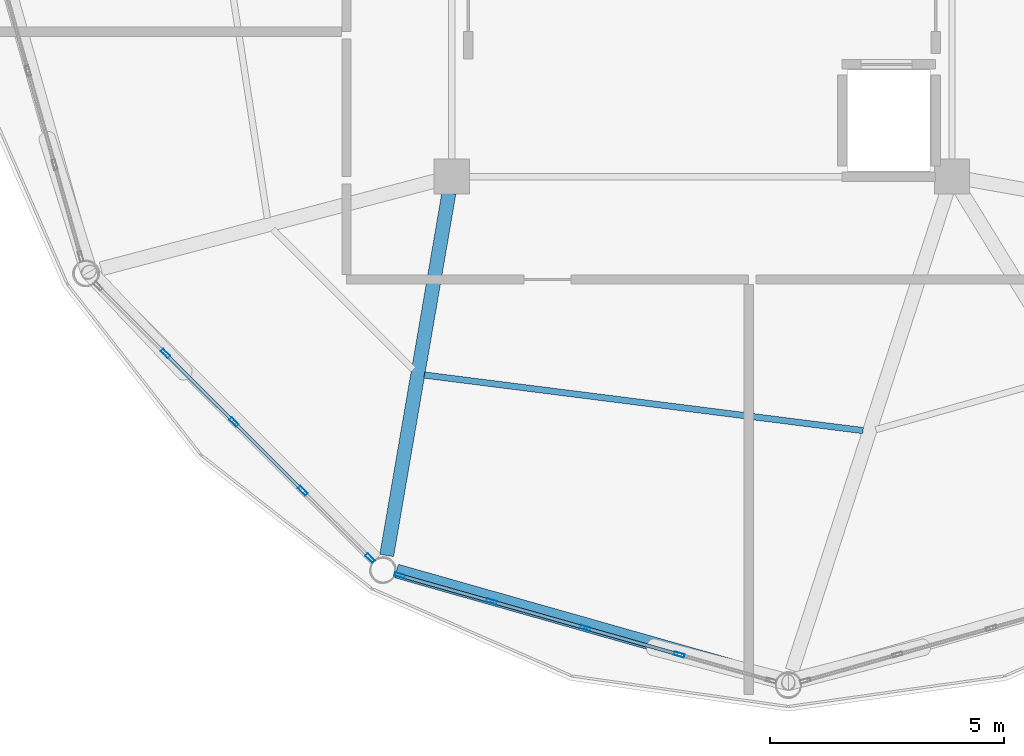
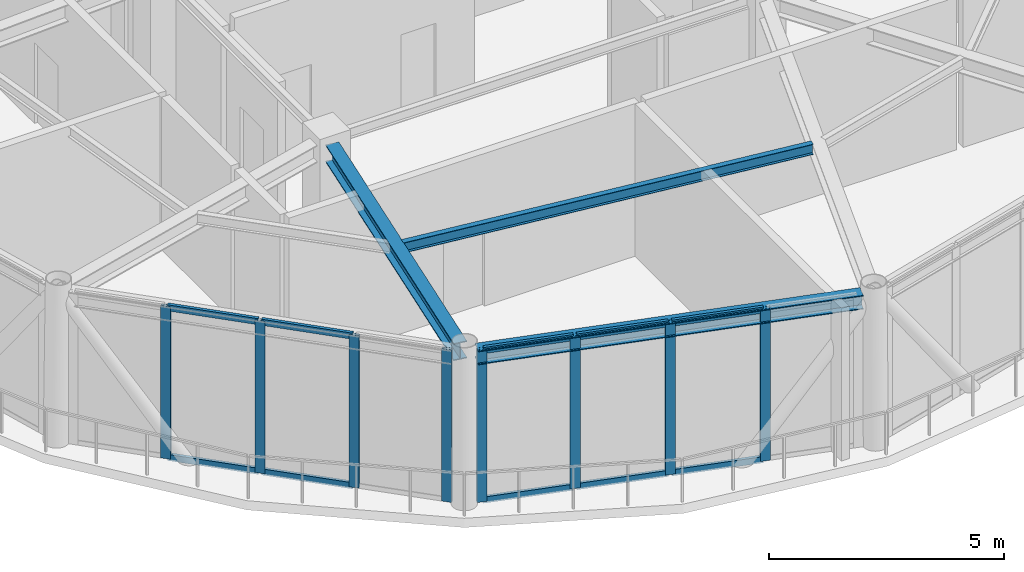
# One storey, part 2 of 20: 18 members, 3 beams, 2 elements without a shape of their own.
"""IFC4 building model written with IfcOpenShell, lengths in metres."""

from ifc_helpers import new_model, si_unit, direction, frame, origin, origin_2d, place, context, subcontext, project, spatial, hollow_rectangle, i_section, extrude, material, layer, layer_set, material_profile, profile_set, type_object, element, aggregate, save


model = new_model("IFC4")

# Units and contexts
model_context = context("Model", 3, precision=1e-05, world=origin(), true_north=direction((0.0, 1.0)))
body_context = subcontext(model_context, "Body", "Model", "MODEL_VIEW")
ifc_project = project(units=[si_unit("LENGTHUNIT", "METRE"), si_unit("AREAUNIT", "SQUARE_METRE"), si_unit("VOLUMEUNIT", "CUBIC_METRE"), si_unit("PLANEANGLEUNIT", "RADIAN"), si_unit("MASSUNIT", "GRAM", prefix="KILO")], contexts=[model_context])

# Site, building, storey
site_placement = place(None, origin())
site = spatial("IfcSite", under=ifc_project, at=site_placement, CompositionType="ELEMENT")
building_placement = place(site_placement, origin())
building = spatial("IfcBuilding", under=site, at=building_placement, Name="Varnakorn Sky Granary", CompositionType="ELEMENT")
storey_placement = place(building_placement, frame((0.0, 0.0, 302.39990234375)))
storey = spatial("IfcBuildingStorey", under=building, at=storey_placement, Name="L77", CompositionType="ELEMENT", Elevation=302.39990234375)

# Beams
ifc_material_1 = material(Name="Steel S355JR", Category="steel")
ifc_material_profile_1 = material_profile(ifc_material_1, i_section(OverallWidth=0.300048828125, OverallDepth=0.449951171875, WebThickness=0.013916015625, FlangeThickness=0.02587890625, at=origin_2d()), Name="HE 450 B")
ifc_profile_set_1 = profile_set([ifc_material_profile_1], Name="Steel S355JR")
beam_type_1 = type_object("IfcBeamType", Name="BM-RAD-Z5", PredefinedType="BEAM", material=ifc_profile_set_1)
beam_1_placement = place(storey_placement, frame((-2.41015625, -6.949951171875, 3.735107421875), z_axis=(-0.169198104521, -0.985582062249, 0.0), x_axis=(0.985582062249, -0.169198104521, 0.0)))
element("IfcBeam", 1, at=beam_1_placement, inside=storey, type_object=beam_type_1, Name="Radial Floor Girder RG09 L77", PredefinedType="BEAM", context=body_context, shape_type="SweptSolid", body=[
    extrude(i_section(OverallWidth=0.300048828125, OverallDepth=0.449951171875, WebThickness=0.013916015625, FlangeThickness=0.02587890625, at=origin_2d()), origin(), (0.0, 0.0, 1.0), 7.866943359375),
])
ifc_material_profile_2 = material_profile(ifc_material_1, i_section(OverallWidth=0.135009765625, OverallDepth=0.27001953125, WebThickness=0.006591796875, FlangeThickness=0.01025390625, at=origin_2d()), Name="IPE 270")
ifc_profile_set_2 = profile_set([ifc_material_profile_2], Name="Steel S355JR")
beam_type_2 = type_object("IfcBeamType", Name="BM-SEC-Z5", PredefinedType="BEAM", material=ifc_profile_set_2)
beam_2_placement = place(storey_placement, frame((-2.936767578125, -10.84423828125, 3.8251953125), z_axis=(0.992078465288, -0.125619738548, 0.0), x_axis=(0.125619738548, 0.992078465288, 0.0)))
element("IfcBeam", 2, at=beam_2_placement, inside=storey, type_object=beam_type_2, Name="Secondary Floor Chord Beam MSB09 L77", PredefinedType="BEAM", context=body_context, shape_type="SweptSolid", body=[
    extrude(i_section(OverallWidth=0.135009765625, OverallDepth=0.27001953125, WebThickness=0.006591796875, FlangeThickness=0.01025390625, at=origin_2d()), origin(), (0.0, 0.0, 1.0), 9.458984375),
])
ifc_material_profile_3 = material_profile(ifc_material_1, i_section(OverallWidth=0.300048828125, OverallDepth=0.360107421875, WebThickness=0.012451171875, FlangeThickness=0.0224609375, at=origin_2d()), Name="HE 360 B")
ifc_profile_set_3 = profile_set([ifc_material_profile_3], Name="Steel S355JR")
beam_type_3 = type_object("IfcBeamType", Name="BM-SPD-Z5", PredefinedType="SPANDREL", material=ifc_profile_set_3)
beam_3_placement = place(storey_placement, frame((-3.531494140625, -15.036376953125, 3.780029296875), z_axis=(0.962040266262, -0.272907541286, 0.0), x_axis=(0.272907541286, 0.962040266262, 0.0)))
element("IfcBeam", 3, at=beam_3_placement, inside=storey, type_object=beam_type_3, Name="Perimeter Spandrel Ring Beam RB09 L77", PredefinedType="SPANDREL", context=body_context, shape_type="SweptSolid", body=[
    extrude(i_section(OverallWidth=0.300048828125, OverallDepth=0.360107421875, WebThickness=0.012451171875, FlangeThickness=0.0224609375, at=origin_2d()), origin(), (0.0, 0.0, 1.0), 8.447509765625),
])

# Curtain wall, members
ifc_material_2 = material(Name="Anodised Bronze Aluminium Alloy 6063-T6", Category="aluminium")
ifc_layer = layer(ifc_material_2, 0.22998046875, Name="Anodised Bronze Aluminium Alloy 6063-T6")
ifc_layer_set = layer_set([ifc_layer], Name="Anodised Bronze Aluminium Alloy 6063-T6")
curtain_wall_type = type_object("IfcCurtainWallType", Name="CW-LNT-1", PredefinedType="USERDEFINED", material=ifc_layer_set)
curtain_wall_1_placement = place(storey_placement, origin())
curtain_wall_1 = element("IfcCurtainWall", 4, at=curtain_wall_1_placement, inside=storey, type_object=curtain_wall_type, Name="Unitised Curtain Wall CW7 CW-L77-B08", ObjectType="CURTAIN WALL", PredefinedType="USERDEFINED")
ifc_material_profile_4 = material_profile(ifc_material_2, hollow_rectangle(XDim=0.074951171875, YDim=0.219970703125, WallThickness=0.00390625, at=origin_2d()), Name="ALU MULL 75x220")
ifc_profile_set_4 = profile_set([ifc_material_profile_4], Name="Anodised Bronze Aluminium Alloy 6063-T6")
member_type_1 = type_object("IfcMemberType", Name="CW-LNT-1-MULL", PredefinedType="MULLION", material=ifc_profile_set_4)
member_1_placement = place(storey_placement, frame((-4.095703125, -14.760009765625, 0.0), z_axis=(0.0, 0.0, 1.0), x_axis=(-0.706962264777, -0.707251268066, 0.0)))
member_1 = element("IfcMember", 5, at=member_1_placement, type_object=member_type_1, Name="CW7 mullion 1", PredefinedType="MULLION", context=body_context, shape_type="SweptSolid", body=[
    extrude(hollow_rectangle(XDim=0.074951171875, YDim=0.219970703125, WallThickness=0.00390625, at=origin_2d()), origin(), (0.0, 0.0, 1.0), 3.960205078125),
])
member_2_placement = place(storey_placement, frame((-5.537353515625, -13.318603515625, 0.0), z_axis=(0.0, 0.0, 1.0), x_axis=(-0.706962264777, -0.707251268066, 0.0)))
member_2 = element("IfcMember", 6, at=member_2_placement, type_object=member_type_1, Name="CW7 mullion 2", PredefinedType="MULLION", context=body_context, shape_type="SweptSolid", body=[
    extrude(hollow_rectangle(XDim=0.074951171875, YDim=0.219970703125, WallThickness=0.00390625, at=origin_2d()), origin(), (0.0, 0.0, 1.0), 3.960205078125),
])
member_3_placement = place(storey_placement, frame((-7.005859375, -11.850830078125, 0.0), z_axis=(0.0, 0.0, 1.0), x_axis=(-0.706962264777, -0.707251268066, 0.0)))
member_3 = element("IfcMember", 7, at=member_3_placement, type_object=member_type_1, Name="CW7 mullion 3", PredefinedType="MULLION", context=body_context, shape_type="SweptSolid", body=[
    extrude(hollow_rectangle(XDim=0.074951171875, YDim=0.219970703125, WallThickness=0.00390625, at=origin_2d()), origin(), (0.0, 0.0, 1.0), 3.960205078125),
])
member_4_placement = place(storey_placement, frame((-8.47412109375, -10.38330078125, 0.0), z_axis=(0.0, 0.0, 1.0), x_axis=(-0.706962264777, -0.707251268066, 0.0)))
member_4 = element("IfcMember", 8, at=member_4_placement, type_object=member_type_1, Name="CW7 mullion 4", PredefinedType="MULLION", context=body_context, shape_type="SweptSolid", body=[
    extrude(hollow_rectangle(XDim=0.074951171875, YDim=0.219970703125, WallThickness=0.00390625, at=origin_2d()), origin(), (0.0, 0.0, 1.0), 3.960205078125),
])

curtain_wall_2_placement = place(storey_placement, origin())
curtain_wall_2 = element("IfcCurtainWall", 9, at=curtain_wall_2_placement, inside=storey, type_object=curtain_wall_type, Name="Unitised Curtain Wall CW7 CW-L77-B09", ObjectType="CURTAIN WALL", PredefinedType="USERDEFINED")
member_5_placement = place(storey_placement, frame((2.516845703125, -16.82470703125, 0.0), z_axis=(0.0, 0.0, 1.0), x_axis=(-0.272649549095, -0.962113415029, 0.0)))
member_5 = element("IfcMember", 10, at=member_5_placement, type_object=member_type_1, Name="CW7 mullion 2", PredefinedType="MULLION", context=body_context, shape_type="SweptSolid", body=[
    extrude(hollow_rectangle(XDim=0.074951171875, YDim=0.219970703125, WallThickness=0.00390625, at=origin_2d()), origin(), (0.0, 0.0, 1.0), 3.960205078125),
])
member_6_placement = place(storey_placement, frame((0.510498046875, -16.256103515625, 0.0), z_axis=(0.0, 0.0, 1.0), x_axis=(-0.272649549095, -0.962113415029, 0.0)))
member_6 = element("IfcMember", 11, at=member_6_placement, type_object=member_type_1, Name="CW7 mullion 3", PredefinedType="MULLION", context=body_context, shape_type="SweptSolid", body=[
    extrude(hollow_rectangle(XDim=0.074951171875, YDim=0.219970703125, WallThickness=0.00390625, at=origin_2d()), origin(), (0.0, 0.0, 1.0), 3.960205078125),
])
member_7_placement = place(storey_placement, frame((-1.495849609375, -15.6875, 0.0), z_axis=(0.0, 0.0, 1.0), x_axis=(-0.272649549095, -0.962113415029, 0.0)))
member_7 = element("IfcMember", 12, at=member_7_placement, type_object=member_type_1, Name="CW7 mullion 4", PredefinedType="MULLION", context=body_context, shape_type="SweptSolid", body=[
    extrude(hollow_rectangle(XDim=0.074951171875, YDim=0.219970703125, WallThickness=0.00390625, at=origin_2d()), origin(), (0.0, 0.0, 1.0), 3.960205078125),
])
member_8_placement = place(storey_placement, frame((-3.46630859375, -15.129150390625, 0.0), z_axis=(0.0, 0.0, 1.0), x_axis=(-0.272649549095, -0.962113415029, 0.0)))
member_8 = element("IfcMember", 13, at=member_8_placement, type_object=member_type_1, Name="CW7 mullion 5", PredefinedType="MULLION", context=body_context, shape_type="SweptSolid", body=[
    extrude(hollow_rectangle(XDim=0.074951171875, YDim=0.219970703125, WallThickness=0.00390625, at=origin_2d()), origin(), (0.0, 0.0, 1.0), 3.960205078125),
])

# Member
ifc_material_profile_5 = material_profile(ifc_material_2, hollow_rectangle(XDim=0.074951171875, YDim=0.159912109375, WallThickness=0.00390625, at=origin_2d()), Name="ALU TRAN 75x160")
ifc_profile_set_5 = profile_set([ifc_material_profile_5], Name="Anodised Bronze Aluminium Alloy 6063-T6")
member_type_2 = type_object("IfcMemberType", Name="CW-LNT-1-TRAN", PredefinedType="USERDEFINED", material=ifc_profile_set_5)
member_9_placement = place(storey_placement, frame((-5.56396484375, -13.292236328125, 0.03759765625), z_axis=(-0.70722876976, 0.706984771564, 0.0), x_axis=(-0.706984771564, -0.70722876976, 0.0)))
member_9 = element("IfcMember", 14, at=member_9_placement, type_object=member_type_2, Name="CW7 transom 2.1", ObjectType="TRANSOM", PredefinedType="USERDEFINED", context=body_context, shape_type="SweptSolid", body=[
    extrude(hollow_rectangle(XDim=0.074951171875, YDim=0.159912109375, WallThickness=0.00390625, at=origin_2d()), origin(), (0.0, 0.0, 1.0), 2.001220703125),
])

member_10_placement = place(storey_placement, frame((-5.56396484375, -13.292236328125, 3.922607421875), z_axis=(-0.70722876976, 0.706984771564, 0.0), x_axis=(-0.706984771564, -0.70722876976, 0.0)))
member_10 = element("IfcMember", 15, at=member_10_placement, type_object=member_type_2, Name="CW7 transom 2.2", ObjectType="TRANSOM", PredefinedType="USERDEFINED", context=body_context, shape_type="SweptSolid", body=[
    extrude(hollow_rectangle(XDim=0.074951171875, YDim=0.159912109375, WallThickness=0.00390625, at=origin_2d()), origin(), (0.0, 0.0, 1.0), 2.001220703125),
])

member_11_placement = place(storey_placement, frame((-7.0322265625, -11.824462890625, 0.03759765625), z_axis=(-0.70722876976, 0.706984771564, 0.0), x_axis=(-0.706984771564, -0.70722876976, 0.0)))
member_11 = element("IfcMember", 16, at=member_11_placement, type_object=member_type_2, Name="CW7 transom 3.1", ObjectType="TRANSOM", PredefinedType="USERDEFINED", context=body_context, shape_type="SweptSolid", body=[
    extrude(hollow_rectangle(XDim=0.074951171875, YDim=0.159912109375, WallThickness=0.00390625, at=origin_2d()), origin(), (0.0, 0.0, 1.0), 2.001220703125),
])

member_12_placement = place(storey_placement, frame((-7.0322265625, -11.824462890625, 3.922607421875), z_axis=(-0.70722876976, 0.706984771564, 0.0), x_axis=(-0.706984771564, -0.70722876976, 0.0)))
member_12 = element("IfcMember", 17, at=member_12_placement, type_object=member_type_2, Name="CW7 transom 3.2", ObjectType="TRANSOM", PredefinedType="USERDEFINED", context=body_context, shape_type="SweptSolid", body=[
    extrude(hollow_rectangle(XDim=0.074951171875, YDim=0.159912109375, WallThickness=0.00390625, at=origin_2d()), origin(), (0.0, 0.0, 1.0), 2.001220703125),
])

aggregate(curtain_wall_1, [member_1, member_2, member_3, member_4, member_9, member_10, member_11, member_12])

member_13_placement = place(storey_placement, frame((2.48095703125, -16.814697265625, 0.03759765625), z_axis=(-0.962090091913, 0.272731837238, 0.0), x_axis=(-0.272731837238, -0.962090091913, 0.0)))
member_13 = element("IfcMember", 18, at=member_13_placement, type_object=member_type_2, Name="CW7 transom 2.1", ObjectType="TRANSOM", PredefinedType="USERDEFINED", context=body_context, shape_type="SweptSolid", body=[
    extrude(hollow_rectangle(XDim=0.074951171875, YDim=0.159912109375, WallThickness=0.00390625, at=origin_2d()), origin(), (0.0, 0.0, 1.0), 2.010498046875),
])

member_14_placement = place(storey_placement, frame((2.48095703125, -16.814697265625, 3.922607421875), z_axis=(-0.962090091913, 0.272731837238, 0.0), x_axis=(-0.272731837238, -0.962090091913, 0.0)))
member_14 = element("IfcMember", 19, at=member_14_placement, type_object=member_type_2, Name="CW7 transom 2.2", ObjectType="TRANSOM", PredefinedType="USERDEFINED", context=body_context, shape_type="SweptSolid", body=[
    extrude(hollow_rectangle(XDim=0.074951171875, YDim=0.159912109375, WallThickness=0.00390625, at=origin_2d()), origin(), (0.0, 0.0, 1.0), 2.010498046875),
])

member_15_placement = place(storey_placement, frame((0.474365234375, -16.24609375, 0.03759765625), z_axis=(-0.962090091913, 0.272731837238, 0.0), x_axis=(-0.272731837238, -0.962090091913, 0.0)))
member_15 = element("IfcMember", 20, at=member_15_placement, type_object=member_type_2, Name="CW7 transom 3.1", ObjectType="TRANSOM", PredefinedType="USERDEFINED", context=body_context, shape_type="SweptSolid", body=[
    extrude(hollow_rectangle(XDim=0.074951171875, YDim=0.159912109375, WallThickness=0.00390625, at=origin_2d()), origin(), (0.0, 0.0, 1.0), 2.010498046875),
])

member_16_placement = place(storey_placement, frame((0.474365234375, -16.24609375, 3.922607421875), z_axis=(-0.962090091913, 0.272731837238, 0.0), x_axis=(-0.272731837238, -0.962090091913, 0.0)))
member_16 = element("IfcMember", 21, at=member_16_placement, type_object=member_type_2, Name="CW7 transom 3.2", ObjectType="TRANSOM", PredefinedType="USERDEFINED", context=body_context, shape_type="SweptSolid", body=[
    extrude(hollow_rectangle(XDim=0.074951171875, YDim=0.159912109375, WallThickness=0.00390625, at=origin_2d()), origin(), (0.0, 0.0, 1.0), 2.010498046875),
])

member_17_placement = place(storey_placement, frame((-1.531982421875, -15.677490234375, 0.03759765625), z_axis=(-0.962091559003, 0.27272666187, 0.0), x_axis=(-0.27272666187, -0.962091559003, 0.0)))
member_17 = element("IfcMember", 22, at=member_17_placement, type_object=member_type_2, Name="CW7 transom 4.1", ObjectType="TRANSOM", PredefinedType="USERDEFINED", context=body_context, shape_type="SweptSolid", body=[
    extrude(hollow_rectangle(XDim=0.074951171875, YDim=0.159912109375, WallThickness=0.00390625, at=origin_2d()), origin(), (0.0, 0.0, 1.0), 1.972900390625),
])

member_18_placement = place(storey_placement, frame((-1.531982421875, -15.677490234375, 3.922607421875), z_axis=(-0.962091559003, 0.27272666187, 0.0), x_axis=(-0.27272666187, -0.962091559003, 0.0)))
member_18 = element("IfcMember", 23, at=member_18_placement, type_object=member_type_2, Name="CW7 transom 4.2", ObjectType="TRANSOM", PredefinedType="USERDEFINED", context=body_context, shape_type="SweptSolid", body=[
    extrude(hollow_rectangle(XDim=0.074951171875, YDim=0.159912109375, WallThickness=0.00390625, at=origin_2d()), origin(), (0.0, 0.0, 1.0), 1.972900390625),
])

aggregate(curtain_wall_2, [member_5, member_6, member_7, member_8, member_13, member_14, member_15, member_16, member_17, member_18])

save(model, "model.ifc")
